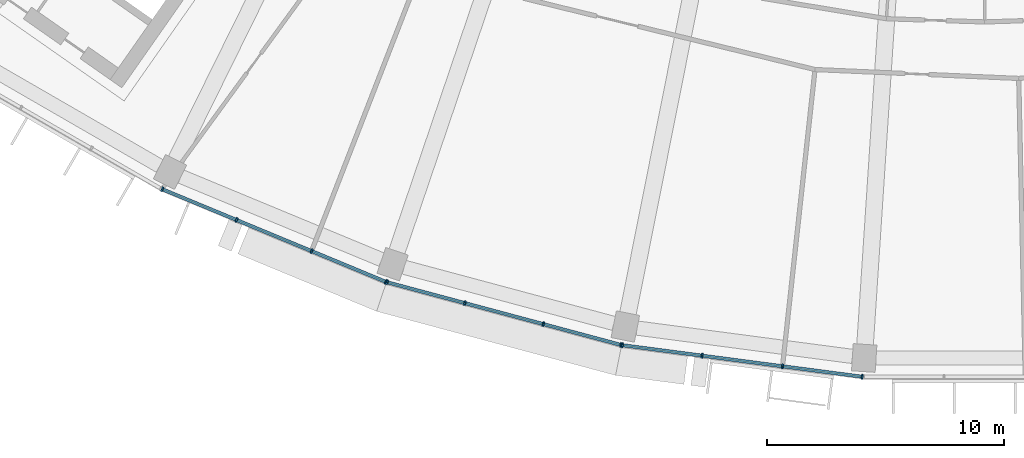
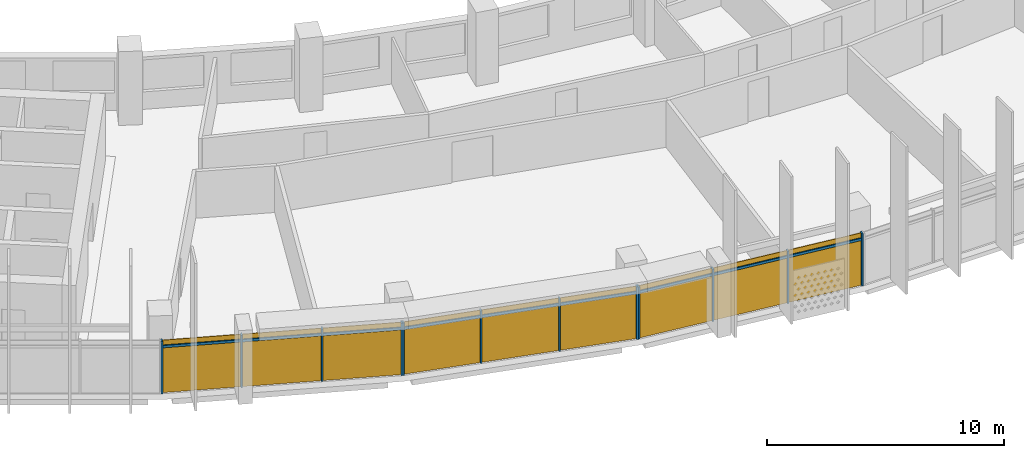
# One storey, part 19 of 28: 21 members, 3 curtain walls.
"""IFC4 building model written with IfcOpenShell, lengths in metres."""

from ifc_helpers import new_model, si_unit, direction, frame, origin, origin_2d, place, context, subcontext, project, spatial, rectangle, extrude, material, material_profile, profile_set, type_object, element, aggregate, save


model = new_model("IFC4")

# Units and contexts
model_context = context("Model", 3, precision=1e-05, world=origin(), true_north=direction((0.0, 1.0)))
body_context = subcontext(model_context, "Body", "Model", "MODEL_VIEW")
ifc_project = project(units=[si_unit("LENGTHUNIT", "METRE"), si_unit("AREAUNIT", "SQUARE_METRE"), si_unit("VOLUMEUNIT", "CUBIC_METRE"), si_unit("PLANEANGLEUNIT", "RADIAN"), si_unit("MASSUNIT", "GRAM", prefix="KILO")], contexts=[model_context])

# Member
ifc_material = material(Name="Aluminium 6063-T6 anodised", Category="aluminium")
ifc_material_profile_1 = material_profile(ifc_material, rectangle(XDim=0.199951171875, YDim=0.070068359375, at=origin_2d()))
ifc_profile_set_1 = profile_set([ifc_material_profile_1], Name="Aluminium 6063-T6 anodised")
member_type_1 = type_object("IfcMemberType", Name="Mullion 70 x 200 aluminium", PredefinedType="MULLION", material=ifc_profile_set_1)
site_placement = place(None, origin())
building_placement = place(site_placement, origin())
storey_placement = place(building_placement, frame((0.0, 0.0, 234.10009765625)))
member_1_placement = place(storey_placement, frame((-34.71533203125, -70.4599609375, 0.0), z_axis=(0.0, 0.0, 1.0), x_axis=(0.382683432365, 0.923879532511, 0.0)))
member_1 = element("IfcMember", 1, at=member_1_placement, type_object=member_type_1, Name="e-cw1-L56-out05/M00", PredefinedType="MULLION", context=body_context, shape_type="SweptSolid", body=[
    extrude(rectangle(XDim=0.199951171875, YDim=0.070068359375, at=origin_2d()), origin(), (0.0, 0.0, 1.0), 2.699951171875),
])

member_2_placement = place(storey_placement, frame((-31.57958984375, -71.759033203125, 0.0), z_axis=(0.0, 0.0, 1.0), x_axis=(0.382683432365, 0.923879532511, 0.0)))
member_2 = element("IfcMember", 2, at=member_2_placement, type_object=member_type_1, Name="e-cw1-L56-out05/M01", PredefinedType="MULLION", context=body_context, shape_type="SweptSolid", body=[
    extrude(rectangle(XDim=0.199951171875, YDim=0.070068359375, at=origin_2d()), origin(), (0.0, 0.0, 1.0), 2.699951171875),
])

member_3_placement = place(storey_placement, frame((-28.4111328125, -73.0712890625, 0.0), z_axis=(0.0, 0.0, 1.0), x_axis=(0.382683432365, 0.923879532511, 0.0)))
member_3 = element("IfcMember", 3, at=member_3_placement, type_object=member_type_1, Name="e-cw1-L56-out05/M02", PredefinedType="MULLION", context=body_context, shape_type="SweptSolid", body=[
    extrude(rectangle(XDim=0.199951171875, YDim=0.070068359375, at=origin_2d()), origin(), (0.0, 0.0, 1.0), 2.699951171875),
])

member_4_placement = place(storey_placement, frame((-25.275390625, -74.370361328125, 0.0), z_axis=(0.0, 0.0, 1.0), x_axis=(0.382683432365, 0.923879532511, 0.0)))
member_4 = element("IfcMember", 4, at=member_4_placement, type_object=member_type_1, Name="e-cw1-L56-out05/M03", PredefinedType="MULLION", context=body_context, shape_type="SweptSolid", body=[
    extrude(rectangle(XDim=0.199951171875, YDim=0.070068359375, at=origin_2d()), origin(), (0.0, 0.0, 1.0), 2.699951171875),
])

member_5_placement = place(storey_placement, frame((-25.221435546875, -74.388427734375, 0.0), z_axis=(0.0, 0.0, 1.0), x_axis=(0.258819045103, 0.965925826289, 0.0)))
member_5 = element("IfcMember", 5, at=member_5_placement, type_object=member_type_1, Name="e-cw1-L56-out06/M00", PredefinedType="MULLION", context=body_context, shape_type="SweptSolid", body=[
    extrude(rectangle(XDim=0.199951171875, YDim=0.070068359375, at=origin_2d()), origin(), (0.0, 0.0, 1.0), 2.699951171875),
])

member_6_placement = place(storey_placement, frame((-21.94287109375, -75.26708984375, 0.0), z_axis=(0.0, 0.0, 1.0), x_axis=(0.258819045103, 0.965925826289, 0.0)))
member_6 = element("IfcMember", 6, at=member_6_placement, type_object=member_type_1, Name="e-cw1-L56-out06/M01", PredefinedType="MULLION", context=body_context, shape_type="SweptSolid", body=[
    extrude(rectangle(XDim=0.199951171875, YDim=0.070068359375, at=origin_2d()), origin(), (0.0, 0.0, 1.0), 2.699951171875),
])

member_7_placement = place(storey_placement, frame((-18.63037109375, -76.154541015625, 0.0), z_axis=(0.0, 0.0, 1.0), x_axis=(0.258819045103, 0.965925826289, 0.0)))
member_7 = element("IfcMember", 7, at=member_7_placement, type_object=member_type_1, Name="e-cw1-L56-out06/M02", PredefinedType="MULLION", context=body_context, shape_type="SweptSolid", body=[
    extrude(rectangle(XDim=0.199951171875, YDim=0.070068359375, at=origin_2d()), origin(), (0.0, 0.0, 1.0), 2.699951171875),
])

member_8_placement = place(storey_placement, frame((-15.351806640625, -77.033203125, 0.0), z_axis=(0.0, 0.0, 1.0), x_axis=(0.258819045103, 0.965925826289, 0.0)))
member_8 = element("IfcMember", 8, at=member_8_placement, type_object=member_type_1, Name="e-cw1-L56-out06/M03", PredefinedType="MULLION", context=body_context, shape_type="SweptSolid", body=[
    extrude(rectangle(XDim=0.199951171875, YDim=0.070068359375, at=origin_2d()), origin(), (0.0, 0.0, 1.0), 2.699951171875),
])

member_9_placement = place(storey_placement, frame((-15.296142578125, -77.044189453125, 0.0), z_axis=(0.0, 0.0, 1.0), x_axis=(0.13052619222, 0.991444861374, 0.0)))
member_9 = element("IfcMember", 9, at=member_9_placement, type_object=member_type_1, Name="e-cw1-L56-out07/M00", PredefinedType="MULLION", context=body_context, shape_type="SweptSolid", body=[
    extrude(rectangle(XDim=0.199951171875, YDim=0.070068359375, at=origin_2d()), origin(), (0.0, 0.0, 1.0), 2.699951171875),
])

member_10_placement = place(storey_placement, frame((-11.930908203125, -77.4873046875, 0.0), z_axis=(0.0, 0.0, 1.0), x_axis=(0.13052619222, 0.991444861374, 0.0)))
member_10 = element("IfcMember", 10, at=member_10_placement, type_object=member_type_1, Name="e-cw1-L56-out07/M01", PredefinedType="MULLION", context=body_context, shape_type="SweptSolid", body=[
    extrude(rectangle(XDim=0.199951171875, YDim=0.070068359375, at=origin_2d()), origin(), (0.0, 0.0, 1.0), 2.699951171875),
])

member_11_placement = place(storey_placement, frame((-8.53076171875, -77.934814453125, 0.0), z_axis=(0.0, 0.0, 1.0), x_axis=(0.13052619222, 0.991444861374, 0.0)))
member_11 = element("IfcMember", 11, at=member_11_placement, type_object=member_type_1, Name="e-cw1-L56-out07/M02", PredefinedType="MULLION", context=body_context, shape_type="SweptSolid", body=[
    extrude(rectangle(XDim=0.199951171875, YDim=0.070068359375, at=origin_2d()), origin(), (0.0, 0.0, 1.0), 2.699951171875),
])

member_12_placement = place(storey_placement, frame((-5.16552734375, -78.3779296875, 0.0), z_axis=(0.0, 0.0, 1.0), x_axis=(0.13052619222, 0.991444861374, 0.0)))
member_12 = element("IfcMember", 12, at=member_12_placement, type_object=member_type_1, Name="e-cw1-L56-out07/M03", PredefinedType="MULLION", context=body_context, shape_type="SweptSolid", body=[
    extrude(rectangle(XDim=0.199951171875, YDim=0.070068359375, at=origin_2d()), origin(), (0.0, 0.0, 1.0), 2.699951171875),
])

ifc_material_profile_2 = material_profile(ifc_material, rectangle(XDim=0.139892578125, YDim=0.1201171875, at=origin_2d()))
ifc_profile_set_2 = profile_set([ifc_material_profile_2], Name="Aluminium 6063-T6 anodised")
member_type_2 = type_object("IfcMemberType", Name="Transom 120 x 140 aluminium", PredefinedType="USERDEFINED", material=ifc_profile_set_2)
member_13_placement = place(storey_placement, frame((-34.68310546875, -70.473388671875, 2.39990234375), z_axis=(0.923874511193, -0.382695554676, 0.0), x_axis=(0.382695554676, 0.923874511193, 0.0)))
member_13 = element("IfcMember", 13, at=member_13_placement, type_object=member_type_2, Name="e-cw1-L56-out05/T00", ObjectType="TRANSOM", PredefinedType="USERDEFINED", context=body_context, shape_type="SweptSolid", body=[
    extrude(rectangle(XDim=0.139892578125, YDim=0.1201171875, at=origin_2d()), origin(), (0.0, 0.0, 1.0), 3.324462890625),
])

member_14_placement = place(storey_placement, frame((-31.547119140625, -71.7724609375, 2.39990234375), z_axis=(0.923891938088, -0.38265348128, 0.0), x_axis=(0.38265348128, 0.923891938088, 0.0)))
member_14 = element("IfcMember", 14, at=member_14_placement, type_object=member_type_2, Name="e-cw1-L56-out05/T01", ObjectType="TRANSOM", PredefinedType="USERDEFINED", context=body_context, shape_type="SweptSolid", body=[
    extrude(rectangle(XDim=0.139892578125, YDim=0.1201171875, at=origin_2d()), origin(), (0.0, 0.0, 1.0), 3.359130859375),
])

member_15_placement = place(storey_placement, frame((-28.37890625, -73.084716796875, 2.39990234375), z_axis=(0.923874511193, -0.382695554676, 0.0), x_axis=(0.382695554676, 0.923874511193, 0.0)))
member_15 = element("IfcMember", 15, at=member_15_placement, type_object=member_type_2, Name="e-cw1-L56-out05/T02", ObjectType="TRANSOM", PredefinedType="USERDEFINED", context=body_context, shape_type="SweptSolid", body=[
    extrude(rectangle(XDim=0.139892578125, YDim=0.1201171875, at=origin_2d()), origin(), (0.0, 0.0, 1.0), 3.324462890625),
])

member_16_placement = place(storey_placement, frame((-25.187744140625, -74.3974609375, 2.39990234375), z_axis=(0.965908708139, -0.25888292246, 0.0), x_axis=(0.25888292246, 0.965908708139, 0.0)))
member_16 = element("IfcMember", 16, at=member_16_placement, type_object=member_type_2, Name="e-cw1-L56-out06/T00", ObjectType="TRANSOM", PredefinedType="USERDEFINED", context=body_context, shape_type="SweptSolid", body=[
    extrude(rectangle(XDim=0.139892578125, YDim=0.1201171875, at=origin_2d()), origin(), (0.0, 0.0, 1.0), 3.32421875),
])

member_17_placement = place(storey_placement, frame((-21.9091796875, -75.276123046875, 2.39990234375), z_axis=(0.965931507774, -0.258797840582, 0.0), x_axis=(0.258797840582, 0.965931507774, 0.0)))
member_17 = element("IfcMember", 17, at=member_17_placement, type_object=member_type_2, Name="e-cw1-L56-out06/T01", ObjectType="TRANSOM", PredefinedType="USERDEFINED", context=body_context, shape_type="SweptSolid", body=[
    extrude(rectangle(XDim=0.139892578125, YDim=0.1201171875, at=origin_2d()), origin(), (0.0, 0.0, 1.0), 3.359375),
])

member_18_placement = place(storey_placement, frame((-18.5966796875, -76.16357421875, 2.39990234375), z_axis=(0.965913629723, -0.258864559019, 0.0), x_axis=(0.258864559019, 0.965913629723, 0.0)))
member_18 = element("IfcMember", 18, at=member_18_placement, type_object=member_type_2, Name="e-cw1-L56-out06/T02", ObjectType="TRANSOM", PredefinedType="USERDEFINED", context=body_context, shape_type="SweptSolid", body=[
    extrude(rectangle(XDim=0.139892578125, YDim=0.1201171875, at=origin_2d()), origin(), (0.0, 0.0, 1.0), 3.324462890625),
])

member_19_placement = place(storey_placement, frame((-15.261474609375, -77.048828125, 2.39990234375), z_axis=(0.991447795146, -0.130503906072, 0.0), x_axis=(0.130503906072, 0.991447795146, 0.0)))
member_19 = element("IfcMember", 19, at=member_19_placement, type_object=member_type_2, Name="e-cw1-L56-out07/T00", ObjectType="TRANSOM", PredefinedType="USERDEFINED", context=body_context, shape_type="SweptSolid", body=[
    extrude(rectangle(XDim=0.139892578125, YDim=0.1201171875, at=origin_2d()), origin(), (0.0, 0.0, 1.0), 3.32421875),
])

member_20_placement = place(storey_placement, frame((-11.896240234375, -77.49169921875, 2.39990234375), z_axis=(0.991444893088, -0.130525951326, 0.0), x_axis=(0.130525951326, 0.991444893088, 0.0)))
member_20 = element("IfcMember", 20, at=member_20_placement, type_object=member_type_2, Name="e-cw1-L56-out07/T01", ObjectType="TRANSOM", PredefinedType="USERDEFINED", context=body_context, shape_type="SweptSolid", body=[
    extrude(rectangle(XDim=0.139892578125, YDim=0.1201171875, at=origin_2d()), origin(), (0.0, 0.0, 1.0), 3.359375),
])

member_21_placement = place(storey_placement, frame((-8.49609375, -77.939453125, 2.39990234375), z_axis=(0.991447795146, -0.130503906072, 0.0), x_axis=(0.130503906072, 0.991447795146, 0.0)))
member_21 = element("IfcMember", 21, at=member_21_placement, type_object=member_type_2, Name="e-cw1-L56-out07/T02", ObjectType="TRANSOM", PredefinedType="USERDEFINED", context=body_context, shape_type="SweptSolid", body=[
    extrude(rectangle(XDim=0.139892578125, YDim=0.1201171875, at=origin_2d()), origin(), (0.0, 0.0, 1.0), 3.32421875),
])

# Site, building, storey
site = spatial("IfcSite", under=ifc_project, at=site_placement, CompositionType="ELEMENT")
building = spatial("IfcBuilding", under=site, at=building_placement, Name="Qamariyya Broadcast Tower", CompositionType="ELEMENT")
storey = spatial("IfcBuildingStorey", under=building, at=storey_placement, Name="L56", CompositionType="ELEMENT", Elevation=234.10009765625)

# Curtain wall
curtain_wall_type = type_object("IfcCurtainWallType", Name="Unitised curtain wall, anodised aluminium", PredefinedType="NOTDEFINED", material=ifc_material)
curtain_wall_1_placement = place(storey_placement, origin())
curtain_wall_1 = element("IfcCurtainWall", 22, at=curtain_wall_1_placement, inside=storey, type_object=curtain_wall_type, Name="e-cw1-L56-out05", PredefinedType="NOTDEFINED", context=body_context, shape_type="SweptSolid", body=[
    extrude(rectangle(XDim=3.32421875, YDim=0.031982421875, at=origin_2d()), frame((-33.1474609375, -71.109375, 0.0), x_axis=(0.923880895135, -0.382680142683, 0.0)), (0.0, 0.0, 1.0), 2.340087890625),
    extrude(rectangle(XDim=3.32421875, YDim=0.031982421875, at=origin_2d()), frame((-33.1474609375, -71.109375, 2.4599609375), x_axis=(0.923880895135, -0.382680142683, 0.0)), (0.0, 0.0, 1.0), 0.239990234375),
    extrude(rectangle(XDim=3.359375, YDim=0.031982421875, at=origin_2d()), frame((-29.995361328125, -72.4150390625, 0.0), x_axis=(0.923880895135, -0.382680142683, 0.0)), (0.0, 0.0, 1.0), 2.340087890625),
    extrude(rectangle(XDim=3.359375, YDim=0.031982421875, at=origin_2d()), frame((-29.995361328125, -72.4150390625, 2.4599609375), x_axis=(0.923880895135, -0.382680142683, 0.0)), (0.0, 0.0, 1.0), 0.239990234375),
    extrude(rectangle(XDim=3.32421875, YDim=0.031982421875, at=origin_2d()), frame((-26.84326171875, -73.720703125, 0.0), x_axis=(0.923880895135, -0.382680142683, 0.0)), (0.0, 0.0, 1.0), 2.340087890625),
    extrude(rectangle(XDim=3.32421875, YDim=0.031982421875, at=origin_2d()), frame((-26.84326171875, -73.720703125, 2.4599609375), x_axis=(0.923880895135, -0.382680142683, 0.0)), (0.0, 0.0, 1.0), 0.239990234375),
])

aggregate(curtain_wall_1, [member_1, member_2, member_3, member_4, member_13, member_14, member_15])

curtain_wall_2_placement = place(storey_placement, origin())
curtain_wall_2 = element("IfcCurtainWall", 23, at=curtain_wall_2_placement, inside=storey, type_object=curtain_wall_type, Name="e-cw1-L56-out06", PredefinedType="NOTDEFINED", context=body_context, shape_type="SweptSolid", body=[
    extrude(rectangle(XDim=3.324462890625, YDim=0.031982421875, at=origin_2d()), frame((-23.582275390625, -74.82763671875, 0.0), x_axis=(0.965923476514, -0.258827814424, 0.0)), (0.0, 0.0, 1.0), 2.340087890625),
    extrude(rectangle(XDim=3.324462890625, YDim=0.031982421875, at=origin_2d()), frame((-23.582275390625, -74.82763671875, 2.4599609375), x_axis=(0.965923476514, -0.258827814424, 0.0)), (0.0, 0.0, 1.0), 0.239990234375),
    extrude(rectangle(XDim=3.359375, YDim=0.031982421875, at=origin_2d()), frame((-20.28662109375, -75.7109375, 0.0), x_axis=(0.965923476514, -0.258827814424, 0.0)), (0.0, 0.0, 1.0), 2.340087890625),
    extrude(rectangle(XDim=3.359375, YDim=0.031982421875, at=origin_2d()), frame((-20.28662109375, -75.7109375, 2.4599609375), x_axis=(0.965923476514, -0.258827814424, 0.0)), (0.0, 0.0, 1.0), 0.239990234375),
    extrude(rectangle(XDim=3.324462890625, YDim=0.031982421875, at=origin_2d()), frame((-16.990966796875, -76.593994140625, 0.0), x_axis=(0.965923476514, -0.258827814424, 0.0)), (0.0, 0.0, 1.0), 2.340087890625),
    extrude(rectangle(XDim=3.324462890625, YDim=0.031982421875, at=origin_2d()), frame((-16.990966796875, -76.593994140625, 2.4599609375), x_axis=(0.965923476514, -0.258827814424, 0.0)), (0.0, 0.0, 1.0), 0.239990234375),
])

aggregate(curtain_wall_2, [member_5, member_6, member_7, member_8, member_16, member_17, member_18])

curtain_wall_3_placement = place(storey_placement, origin())
curtain_wall_3 = element("IfcCurtainWall", 24, at=curtain_wall_3_placement, inside=storey, type_object=curtain_wall_type, Name="e-cw1-L56-out07", PredefinedType="NOTDEFINED", context=body_context, shape_type="SweptSolid", body=[
    extrude(rectangle(XDim=3.32421875, YDim=0.031982421875, at=origin_2d()), frame((-13.613525390625, -77.265625, 0.0), x_axis=(0.991442741341, -0.130542294457, 0.0)), (0.0, 0.0, 1.0), 2.340087890625),
    extrude(rectangle(XDim=3.32421875, YDim=0.031982421875, at=origin_2d()), frame((-13.613525390625, -77.265625, 2.4599609375), x_axis=(0.991442741341, -0.130542294457, 0.0)), (0.0, 0.0, 1.0), 0.239990234375),
    extrude(rectangle(XDim=3.359375, YDim=0.031982421875, at=origin_2d()), frame((-10.23095703125, -77.7109375, 0.0), x_axis=(0.991442741341, -0.130542294457, 0.0)), (0.0, 0.0, 1.0), 2.340087890625),
    extrude(rectangle(XDim=3.359375, YDim=0.031982421875, at=origin_2d()), frame((-10.23095703125, -77.7109375, 2.4599609375), x_axis=(0.991442741341, -0.130542294457, 0.0)), (0.0, 0.0, 1.0), 0.239990234375),
    extrude(rectangle(XDim=3.32421875, YDim=0.031982421875, at=origin_2d()), frame((-6.84814453125, -78.156494140625, 0.0), x_axis=(0.991442741341, -0.130542294457, 0.0)), (0.0, 0.0, 1.0), 2.340087890625),
    extrude(rectangle(XDim=3.32421875, YDim=0.031982421875, at=origin_2d()), frame((-6.84814453125, -78.156494140625, 2.4599609375), x_axis=(0.991442741341, -0.130542294457, 0.0)), (0.0, 0.0, 1.0), 0.239990234375),
])

aggregate(curtain_wall_3, [member_9, member_10, member_11, member_12, member_19, member_20, member_21])

save(model, "model.ifc")
